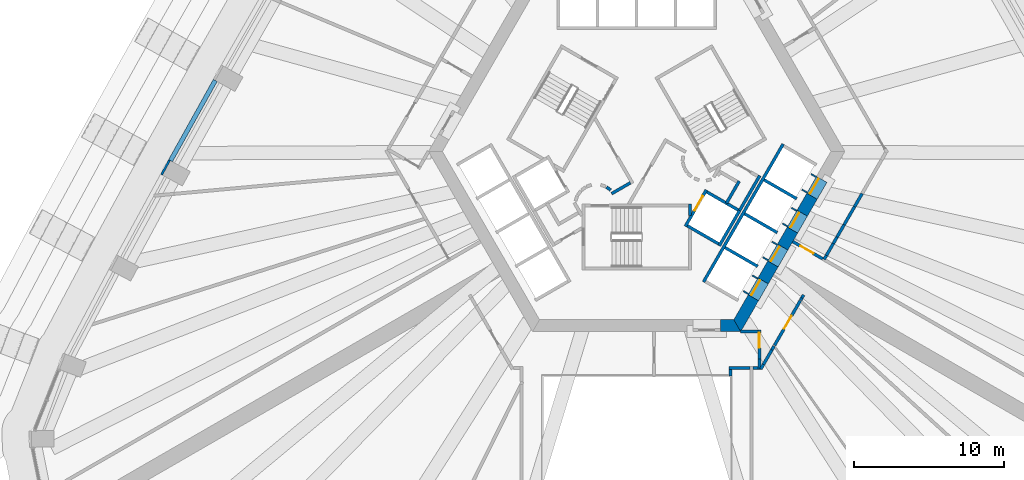
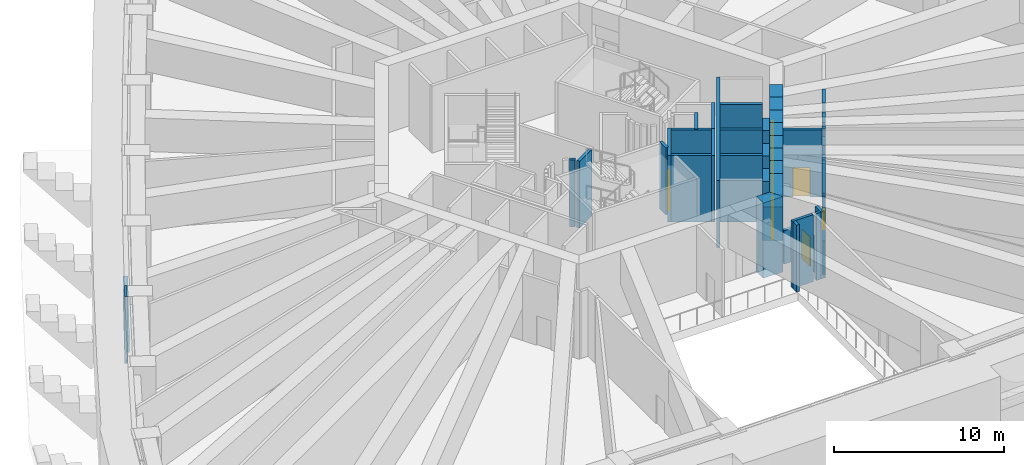
# One storey, part 10 of 22: 47 walls, 8 doors, 8 openings.
"""IFC4 building model written with IfcOpenShell, lengths in metres."""

from ifc_helpers import new_model, si_unit, direction, frame, frame_2d, origin, place, context, subcontext, project, spatial, polyline, rectangle, outline, extrude, material, layer, layer_set, type_object, element, fill, save


model = new_model("IFC4")

# Units and contexts
model_context = context("Model", 3, precision=1e-05, world=origin(), true_north=direction((0.0, 1.0)))
body_context = subcontext(model_context, "Body", "Model", "MODEL_VIEW")
ifc_project = project(units=[si_unit("LENGTHUNIT", "METRE"), si_unit("AREAUNIT", "SQUARE_METRE"), si_unit("VOLUMEUNIT", "CUBIC_METRE"), si_unit("PLANEANGLEUNIT", "RADIAN"), si_unit("MASSUNIT", "GRAM", prefix="KILO")], contexts=[model_context])

# Site, building, storey
site_placement = place(None, origin())
site = spatial("IfcSite", under=ifc_project, at=site_placement, CompositionType="ELEMENT")
building_placement = place(site_placement, origin())
building = spatial("IfcBuilding", under=site, at=building_placement, Name="Entoto Arch Interchange Tower", CompositionType="ELEMENT")
storey_placement = place(building_placement, frame((0.0, 0.0, 132.800048828125)))
storey = spatial("IfcBuildingStorey", under=building, at=storey_placement, Name="L29", CompositionType="ELEMENT", Elevation=132.800048828125)

# Walls
ifc_material_1 = material(Name="Concrete C60/75", Category="concrete")
ifc_layer_1 = layer(ifc_material_1, 0.800048828125)
ifc_layer_set_1 = layer_set([ifc_layer_1], Name="Concrete C60/75")
wall_type_1 = type_object("IfcWallType", Name="Core wall 800 C60/75", PredefinedType="SHEAR", material=ifc_layer_set_1)
wall_1_placement = place(storey_placement, frame((0.0, 0.0, -0.60009765625)))
element("IfcWall", 1, at=wall_1_placement, inside=storey, type_object=wall_type_1, Name="Core wall S L29", PredefinedType="SHEAR", context=body_context, shape_type="SweptSolid", body=[
    extrude(outline(polyline([(5.580078125, -8.699951171875), (5.580078125, -9.5), (6.927978515625, -9.5), (6.466064453125, -8.699951171875), (5.580078125, -8.699951171875)])), origin(), (0.0, 0.0, 1.0), 5.400146484375),
])
wall_2_placement = place(storey_placement, frame((0.0, 0.0, -0.60009765625)))
element("IfcWall", 2, at=wall_2_placement, inside=storey, type_object=wall_type_1, Name="Core wall SE L29", PredefinedType="SHEAR", context=body_context, shape_type="SweptSolid", body=[
    extrude(outline(polyline([(8.116943359375, -7.43994140625), (7.424072265625, -7.0400390625), (6.466064453125, -8.699951171875), (6.927978515625, -9.5), (8.116943359375, -7.43994140625)])), origin(), (0.0, 0.0, 1.0), 5.400146484375),
])
wall_3_placement = place(storey_placement, frame((0.0, 0.0, -0.60009765625)))
element("IfcWall", 3, at=wall_3_placement, inside=storey, type_object=wall_type_1, Name="Core wall SE L29", PredefinedType="SHEAR", context=body_context, shape_type="SweptSolid", body=[
    extrude(outline(polyline([(9.4169921875, -5.18896484375), (8.72412109375, -4.7890625), (8.074951171875, -5.9140625), (8.76708984375, -6.31396484375), (9.4169921875, -5.18896484375)])), origin(), (0.0, 0.0, 1.0), 5.400146484375),
])
wall_4_placement = place(storey_placement, frame((0.0, 0.0, -0.60009765625)))
element("IfcWall", 4, at=wall_4_placement, inside=storey, type_object=wall_type_1, Name="Core wall SE L29", PredefinedType="SHEAR", context=body_context, shape_type="SweptSolid", body=[
    extrude(outline(polyline([(10.717041015625, -2.93701171875), (10.02490234375, -2.537109375), (9.3740234375, -3.6630859375), (10.06689453125, -4.06298828125), (10.717041015625, -2.93701171875)])), origin(), (0.0, 0.0, 1.0), 5.400146484375),
])
wall_5_placement = place(storey_placement, frame((0.0, 0.0, -0.60009765625)))
element("IfcWall", 5, at=wall_5_placement, inside=storey, type_object=wall_type_1, Name="Core wall SE L29", PredefinedType="SHEAR", context=body_context, shape_type="SweptSolid", body=[
    extrude(outline(polyline([(12.01708984375, -0.68603515625), (11.323974609375, -0.285888671875), (10.675048828125, -1.410888671875), (11.366943359375, -1.81103515625), (12.01708984375, -0.68603515625)])), origin(), (0.0, 0.0, 1.0), 5.400146484375),
])
wall_6_placement = place(storey_placement, frame((0.0, 0.0, 3.599853515625)))
element("IfcWall", 6, at=wall_6_placement, inside=storey, type_object=wall_type_1, Name="Core wall lintel SE L29", PredefinedType="SHEAR", context=body_context, shape_type="SweptSolid", body=[
    extrude(outline(polyline([(8.76708984375, -6.31396484375), (8.074951171875, -5.9140625), (7.424072265625, -7.0400390625), (8.116943359375, -7.43994140625), (8.76708984375, -6.31396484375)])), origin(), (0.0, 0.0, 1.0), 1.2001953125),
])
wall_7_placement = place(storey_placement, frame((0.0, 0.0, 3.599853515625)))
element("IfcWall", 7, at=wall_7_placement, inside=storey, type_object=wall_type_1, Name="Core wall lintel SE L29", PredefinedType="SHEAR", context=body_context, shape_type="SweptSolid", body=[
    extrude(outline(polyline([(10.06689453125, -4.06298828125), (9.3740234375, -3.6630859375), (8.72412109375, -4.7890625), (9.4169921875, -5.18896484375), (10.06689453125, -4.06298828125)])), origin(), (0.0, 0.0, 1.0), 1.2001953125),
])
wall_8_placement = place(storey_placement, frame((0.0, 0.0, 3.599853515625)))
element("IfcWall", 8, at=wall_8_placement, inside=storey, type_object=wall_type_1, Name="Core wall lintel SE L29", PredefinedType="SHEAR", context=body_context, shape_type="SweptSolid", body=[
    extrude(outline(polyline([(11.366943359375, -1.81103515625), (10.675048828125, -1.410888671875), (10.02490234375, -2.537109375), (10.717041015625, -2.93701171875), (11.366943359375, -1.81103515625)])), origin(), (0.0, 0.0, 1.0), 1.2001953125),
])
wall_9_placement = place(storey_placement, frame((0.0, 0.0, 3.599853515625)))
element("IfcWall", 9, at=wall_9_placement, inside=storey, type_object=wall_type_1, Name="Core wall lintel SE L29", PredefinedType="SHEAR", context=body_context, shape_type="SweptSolid", body=[
    extrude(outline(polyline([(12.6669921875, 0.43994140625), (11.97412109375, 0.840087890625), (11.323974609375, -0.285888671875), (12.01708984375, -0.68603515625), (12.6669921875, 0.43994140625)])), origin(), (0.0, 0.0, 1.0), 1.2001953125),
])

# Wall, opening, door
ifc_material_2 = material(Name="Concrete C40/50", Category="concrete")
ifc_layer_2 = layer(ifc_material_2, 1.199951171875)
ifc_layer_set_2 = layer_set([ifc_layer_2], Name="Concrete C40/50")
wall_type_2 = type_object("IfcWallType", Name="LIFT LANDING INFILL WALL", PredefinedType="STANDARD", material=ifc_layer_set_2)
wall_10_placement = place(storey_placement, frame((7.597900390625, -7.139892578125, 0.0), z_axis=(0.0, 0.0, 1.0), x_axis=(0.500362116554, 0.865816234728, 0.0)))
wall_10 = element("IfcWall", 10, at=wall_10_placement, inside=storey, type_object=wall_type_2, Name="Lift landing infill wall LR5 L29", PredefinedType="STANDARD", context=body_context, shape_type="SweptSolid", body=[
    extrude(rectangle(XDim=1.29931640625, YDim=1.199951171875, at=frame_2d((0.649658203125, 0.0))), origin(), (0.0, 0.0, 1.0), 2.39990234375),
])
opening_1_placement = place(wall_10_placement, frame((0.10009765625, 0.0, 0.0)))
opening_1 = element("IfcOpeningElement", 11, at=opening_1_placement, cuts=wall_10, Name="Opening LD-LR5-L29", PredefinedType="OPENING", context=body_context, shape_type="SweptSolid", body=[
    extrude(rectangle(XDim=1.10009765625, YDim=2.300048828125, at=frame_2d((0.550048828125, 1.14990234375))), frame((0.0, 0.60986328125, 0.0), z_axis=(0.0, -1.0, 0.0), x_axis=(1.0, 0.0, 0.0)), (0.0, 0.0, 1.0), 1.219970703125),
])
ifc_material_3 = material(Name="Stainless steel 1.4301 panels", Category="steel")
door_type_1 = type_object("IfcDoorType", Name="LIFT LANDING DOOR LD2 1100x2300", OperationType="SLIDING_TO_LEFT", PredefinedType="DOOR", material=ifc_material_3)
door_1_placement = place(opening_1_placement, origin())
door_1 = element("IfcDoor", 12, at=door_1_placement, inside=storey, type_object=door_type_1, Name="Lift landing door LR5 L29", OperationType="SLIDING_TO_LEFT", OverallHeight=2.300048828125, OverallWidth=1.10009765625, PredefinedType="DOOR", context=body_context, shape_type="SweptSolid", body=[
    extrude(rectangle(XDim=1.10009765625, YDim=2.300048828125, at=frame_2d((0.550048828125, 1.14990234375))), frame((0.0, 0.02490234375, 0.0), z_axis=(0.0, -1.0, 0.0), x_axis=(1.0, 0.0, 0.0)), (0.0, 0.0, 1.0), 0.050048828125),
])
fill(opening_1, door_1)

wall_11_placement = place(storey_placement, frame((8.89794921875, -4.888916015625, 0.0), z_axis=(0.0, 0.0, 1.0), x_axis=(0.500036693733, 0.866004217611, 0.0)))
wall_11 = element("IfcWall", 13, at=wall_11_placement, inside=storey, type_object=wall_type_2, Name="Lift landing infill wall LR6 L29", PredefinedType="STANDARD", context=body_context, shape_type="SweptSolid", body=[
    extrude(rectangle(XDim=1.30029296875, YDim=1.199951171875, at=frame_2d((0.650146484375, 0.0))), origin(), (0.0, 0.0, 1.0), 2.39990234375),
])
opening_2_placement = place(wall_11_placement, frame((0.10009765625, 0.0, 0.0)))
opening_2 = element("IfcOpeningElement", 14, at=opening_2_placement, cuts=wall_11, Name="Opening LD-LR6-L29", PredefinedType="OPENING", context=body_context, shape_type="SweptSolid", body=[
    extrude(rectangle(XDim=1.10009765625, YDim=2.300048828125, at=frame_2d((0.550048828125, 1.14990234375))), frame((0.0, 0.60986328125, 0.0), z_axis=(0.0, -1.0, 0.0), x_axis=(1.0, 0.0, 0.0)), (0.0, 0.0, 1.0), 1.219970703125),
])
door_2_placement = place(opening_2_placement, origin())
door_2 = element("IfcDoor", 15, at=door_2_placement, inside=storey, type_object=door_type_1, Name="Lift landing door LR6 L29", OperationType="SLIDING_TO_LEFT", OverallHeight=2.300048828125, OverallWidth=1.10009765625, PredefinedType="DOOR", context=body_context, shape_type="SweptSolid", body=[
    extrude(rectangle(XDim=1.10009765625, YDim=2.300048828125, at=frame_2d((0.550048828125, 1.14990234375))), frame((0.0, 0.02490234375, 0.0), z_axis=(0.0, -1.0, 0.0), x_axis=(1.0, 0.0, 0.0)), (0.0, 0.0, 1.0), 0.050048828125),
])
fill(opening_2, door_2)

wall_12_placement = place(storey_placement, frame((10.197998046875, -2.636962890625, 0.0), z_axis=(0.0, 0.0, 1.0), x_axis=(0.49989585183, 0.866085525409, 0.0)))
wall_12 = element("IfcWall", 16, at=wall_12_placement, inside=storey, type_object=wall_type_2, Name="Lift landing infill wall LR7 L29", PredefinedType="STANDARD", context=body_context, shape_type="SweptSolid", body=[
    extrude(rectangle(XDim=1.300048828125, YDim=1.199951171875, at=frame_2d((0.64990234375, 0.0))), origin(), (0.0, 0.0, 1.0), 2.39990234375),
])
opening_3_placement = place(wall_12_placement, frame((0.10009765625, 0.0, 0.0)))
opening_3 = element("IfcOpeningElement", 17, at=opening_3_placement, cuts=wall_12, Name="Opening LD-LR7-L29", PredefinedType="OPENING", context=body_context, shape_type="SweptSolid", body=[
    extrude(rectangle(XDim=1.10009765625, YDim=2.300048828125, at=frame_2d((0.550048828125, 1.14990234375))), frame((0.0, 0.60986328125, 0.0), z_axis=(0.0, -1.0, 0.0), x_axis=(1.0, 0.0, 0.0)), (0.0, 0.0, 1.0), 1.219970703125),
])
door_3_placement = place(opening_3_placement, origin())
door_3 = element("IfcDoor", 18, at=door_3_placement, inside=storey, type_object=door_type_1, Name="Lift landing door LR7 L29", OperationType="SLIDING_TO_LEFT", OverallHeight=2.300048828125, OverallWidth=1.10009765625, PredefinedType="DOOR", context=body_context, shape_type="SweptSolid", body=[
    extrude(rectangle(XDim=1.10009765625, YDim=2.300048828125, at=frame_2d((0.550048828125, 1.14990234375))), frame((0.0, 0.02490234375, 0.0), z_axis=(0.0, -1.0, 0.0), x_axis=(1.0, 0.0, 0.0)), (0.0, 0.0, 1.0), 0.050048828125),
])
fill(opening_3, door_3)

wall_13_placement = place(storey_placement, frame((11.498046875, -0.385009765625, 0.0), z_axis=(0.0, 0.0, 1.0), x_axis=(0.500221244143, 0.865897630733, 0.0)))
wall_13 = element("IfcWall", 19, at=wall_13_placement, inside=storey, type_object=wall_type_2, Name="Lift landing infill wall LR8 L29", PredefinedType="STANDARD", context=body_context, shape_type="SweptSolid", body=[
    extrude(rectangle(XDim=1.29931640625, YDim=1.199951171875, at=frame_2d((0.649658203125, 0.0))), origin(), (0.0, 0.0, 1.0), 2.39990234375),
])
opening_4_placement = place(wall_13_placement, frame((0.10009765625, 0.0, 0.0)))
opening_4 = element("IfcOpeningElement", 20, at=opening_4_placement, cuts=wall_13, Name="Opening LD-LR8-L29", PredefinedType="OPENING", context=body_context, shape_type="SweptSolid", body=[
    extrude(rectangle(XDim=1.10009765625, YDim=2.300048828125, at=frame_2d((0.550048828125, 1.14990234375))), frame((0.0, 0.60986328125, 0.0), z_axis=(0.0, -1.0, 0.0), x_axis=(1.0, 0.0, 0.0)), (0.0, 0.0, 1.0), 1.219970703125),
])
door_4_placement = place(opening_4_placement, origin())
door_4 = element("IfcDoor", 21, at=door_4_placement, inside=storey, type_object=door_type_1, Name="Lift landing door LR8 L29", OperationType="SLIDING_TO_LEFT", OverallHeight=2.300048828125, OverallWidth=1.10009765625, PredefinedType="DOOR", context=body_context, shape_type="SweptSolid", body=[
    extrude(rectangle(XDim=1.10009765625, YDim=2.300048828125, at=frame_2d((0.550048828125, 1.14990234375))), frame((0.0, 0.02490234375, 0.0), z_axis=(0.0, -1.0, 0.0), x_axis=(1.0, 0.0, 0.0)), (0.0, 0.0, 1.0), 0.050048828125),
])
fill(opening_4, door_4)

ifc_layer_3 = layer(ifc_material_2, 0.199951171875)
ifc_layer_set_3 = layer_set([ifc_layer_3], Name="Concrete C40/50")
wall_type_3 = type_object("IfcWallType", Name="LIFT SHAFT WALL 200", PredefinedType="STANDARD", material=ifc_layer_set_3)
wall_14_placement = place(storey_placement, frame((3.239990234375, -2.488037109375, 0.0), z_axis=(0.0, 0.0, 1.0), x_axis=(0.49994636267, 0.866056369097, 0.0)))
wall_14 = element("IfcWall", 22, at=wall_14_placement, inside=storey, type_object=wall_type_3, Name="Shaft wall SE1 front", PredefinedType="STANDARD", context=body_context, shape_type="SweptSolid", body=[
    extrude(rectangle(XDim=2.800048828125, YDim=0.199951171875, at=frame_2d((1.39990234375, 0.0))), origin(), (0.0, 0.0, 1.0), 4.800048828125),
])
opening_5_placement = place(wall_14_placement, frame((1.22509765625, 0.0, 0.0)))
opening_5 = element("IfcOpeningElement", 23, at=opening_5_placement, cuts=wall_14, Name="Opening LD-FF1-L29", PredefinedType="OPENING", context=body_context, shape_type="SweptSolid", body=[
    extrude(rectangle(XDim=1.10009765625, YDim=2.10009765625, at=frame_2d((0.550048828125, 1.050048828125))), frame((0.0, 0.10986328125, 0.0), z_axis=(0.0, -1.0, 0.0), x_axis=(1.0, 0.0, 0.0)), (0.0, 0.0, 1.0), 0.219970703125),
])
door_type_2 = type_object("IfcDoorType", Name="LIFT LANDING DOOR LD1 1100x2100", OperationType="SLIDING_TO_LEFT", PredefinedType="DOOR", material=ifc_material_3)
door_5_placement = place(opening_5_placement, origin())
door_5 = element("IfcDoor", 24, at=door_5_placement, inside=storey, type_object=door_type_2, Name="Lift landing door FF1 L29", OperationType="SLIDING_TO_LEFT", OverallHeight=2.10009765625, OverallWidth=1.10009765625, PredefinedType="DOOR", context=body_context, shape_type="SweptSolid", body=[
    extrude(rectangle(XDim=1.10009765625, YDim=2.10009765625, at=frame_2d((0.550048828125, 1.050048828125))), frame((0.0, 0.02490234375, 0.0), z_axis=(0.0, -1.0, 0.0), x_axis=(1.0, 0.0, 0.0)), (0.0, 0.0, 1.0), 0.050048828125),
])
fill(opening_5, door_5)

# Walls
wall_15_placement = place(storey_placement, frame((5.491943359375, -3.7880859375, 0.0), z_axis=(0.0, 0.0, 1.0), x_axis=(0.500011755427, 0.866018616679, 0.0)))
element("IfcWall", 25, at=wall_15_placement, inside=storey, type_object=wall_type_3, Name="Shaft wall SE1 back", PredefinedType="STANDARD", context=body_context, shape_type="SweptSolid", body=[
    extrude(rectangle(XDim=2.80029296875, YDim=0.199951171875, at=frame_2d((1.400146484375, 0.0))), origin(), (0.0, 0.0, 1.0), 4.800048828125),
])
wall_16_placement = place(storey_placement, frame((3.376953125, -2.451904296875, 0.0), z_axis=(0.0, 0.0, 1.0), x_axis=(0.865955154139, -0.50012165622, 0.0)))
element("IfcWall", 26, at=wall_16_placement, inside=storey, type_object=wall_type_3, Name="Shaft wall SE1 cross 1", PredefinedType="STANDARD", context=body_context, shape_type="SweptSolid", body=[
    extrude(rectangle(XDim=2.39990234375, YDim=0.199951171875, at=frame_2d((1.199951171875, 0.0))), origin(), (0.0, 0.0, 1.0), 4.800048828125),
])
wall_17_placement = place(storey_placement, frame((4.677001953125, -0.199951171875, 0.0), z_axis=(0.0, 0.0, 1.0), x_axis=(0.865973769406, -0.500089422704, 0.0)))
element("IfcWall", 27, at=wall_17_placement, inside=storey, type_object=wall_type_3, Name="Shaft wall SE1 cross 2", PredefinedType="STANDARD", context=body_context, shape_type="SweptSolid", body=[
    extrude(rectangle(XDim=2.3994140625, YDim=0.199951171875, at=frame_2d((1.19970703125, 0.0))), origin(), (0.0, 0.0, 1.0), 4.800048828125),
])
wall_18_placement = place(storey_placement, frame((4.450927734375, -6.18994140625, 0.0), z_axis=(0.0, 0.0, 1.0), x_axis=(0.50000090737, 0.866024879913, 0.0)))
element("IfcWall", 28, at=wall_18_placement, inside=storey, type_object=wall_type_3, Name="Shaft wall SE3 front", PredefinedType="STANDARD", context=body_context, shape_type="SweptSolid", body=[
    extrude(rectangle(XDim=10.60009765625, YDim=0.199951171875, at=frame_2d((5.300048828125, 0.0))), origin(), (0.0, 0.0, 1.0), 4.800048828125),
])
for number, where, z_axis, x_axis, name in (
    (29, (5.887939453125, -3.902099609375, 0.0), (0.0, 0.0, 1.0), (0.866022959057, -0.500004234368, 0.0), "Shaft wall SE3 cross 2"),
    (30, (7.18798828125, -1.64990234375, 0.0), (0.0, 0.0, 1.0), (0.866022959057, -0.500004234368, 0.0), "Shaft wall SE3 cross 3"),
    (31, (8.488037109375, 0.60205078125, 0.0), (0.0, 0.0, 1.0), (0.866022959057, -0.500004234368, 0.0), "Shaft wall SE3 cross 4"),
):
    element("IfcWall", number, at=place(storey_placement, frame(where, z_axis=z_axis, x_axis=x_axis)), inside=storey, type_object=wall_type_3, Name=name, PredefinedType="STANDARD", context=body_context, shape_type="SweptSolid", body=[
        extrude(rectangle(XDim=2.5, YDim=0.199951171875, at=frame_2d((1.25, 0.0))), origin(), (0.0, 0.0, 1.0), 4.800048828125),
    ])
ifc_material_4 = material(Name="Gypsum board partition on steel studs", Category="steel")
ifc_layer_4 = layer(ifc_material_4, 0.199951171875)
ifc_layer_set_4 = layer_set([ifc_layer_4], Name="Gypsum board partition on steel studs")
wall_type_4 = type_object("IfcWallType", Name="PARTITION 200", PredefinedType="PARTITIONING", material=ifc_layer_set_4)
wall_19_placement = place(storey_placement, frame((6.825927734375, 0.52197265625, 0.0), z_axis=(0.0, 0.0, 1.0), x_axis=(-0.500016722714, -0.866015748706, 0.0)))
element("IfcWall", 32, at=wall_19_placement, inside=storey, type_object=wall_type_4, Name="wall:L29:p003", PredefinedType="PARTITIONING", context=body_context, shape_type="SweptSolid", body=[
    extrude(rectangle(XDim=1.69970703125, YDim=0.199951171875, at=frame_2d((0.849853515625, 0.0))), origin(), (0.0, 0.0, 1.0), 4.800048828125),
])
wall_20_placement = place(storey_placement, frame((8.19189453125, 0.887939453125, 0.0), z_axis=(0.0, 0.0, 1.0), x_axis=(-0.499940625693, -0.866059680843, 0.0)))
element("IfcWall", 33, at=wall_20_placement, inside=storey, type_object=wall_type_4, Name="wall:L29:p004", PredefinedType="PARTITIONING", context=body_context, shape_type="SweptSolid", body=[
    extrude(rectangle(XDim=2.679931640625, YDim=0.199951171875, at=frame_2d((1.33984375, 0.0))), origin(), (0.0, 0.0, 1.0), 4.800048828125),
])
wall_21_placement = place(storey_placement, frame((-0.412109375, 0.4140625, 0.0), z_axis=(0.0, 0.0, 1.0), x_axis=(-0.866017369001, -0.500013916395, 0.0)))
element("IfcWall", 34, at=wall_21_placement, inside=storey, type_object=wall_type_4, Name="wall:L29:p020", PredefinedType="PARTITIONING", context=body_context, shape_type="SweptSolid", body=[
    extrude(rectangle(XDim=1.4501953125, YDim=0.199951171875, at=frame_2d((0.72509765625, 0.0))), origin(), (0.0, 0.0, 1.0), 4.800048828125),
])
wall_22_placement = place(storey_placement, frame((-1.73095703125, -0.076904296875, 0.0), z_axis=(0.0, 0.0, 1.0), x_axis=(-0.804311165252, 0.594208338422, 0.0)))
element("IfcWall", 35, at=wall_22_placement, inside=storey, type_object=wall_type_4, Name="wall:L29:p021", PredefinedType="PARTITIONING", context=body_context, shape_type="SweptSolid", body=[
    extrude(rectangle(XDim=0.338134765625, YDim=0.199951171875, at=frame_2d((0.1689453125, 0.0))), origin(), (0.0, 0.0, 1.0), 4.800048828125),
])
wall_23_placement = place(storey_placement, frame((7.550048828125, -11.89990234375, 0.0), z_axis=(0.0, 0.0, 1.0), x_axis=(-1.0, 0.0, 0.0)))
element("IfcWall", 36, at=wall_23_placement, inside=storey, type_object=wall_type_4, Name="wall:L29:p029", PredefinedType="PARTITIONING", context=body_context, shape_type="SweptSolid", body=[
    extrude(rectangle(XDim=1.399169921875, YDim=0.199951171875, at=frame_2d((0.69970703125, 0.0))), origin(), (0.0, 0.0, 1.0), 4.800048828125),
])
wall_24_placement = place(storey_placement, frame((6.25, -12.0, 0.0), z_axis=(0.0, 0.0, 1.0), x_axis=(0.0, -1.0, 0.0)))
element("IfcWall", 37, at=wall_24_placement, inside=storey, type_object=wall_type_4, Name="wall:L29:p030", PredefinedType="PARTITIONING", context=body_context, shape_type="SweptSolid", body=[
    extrude(rectangle(XDim=0.449951171875, YDim=0.199951171875, at=frame_2d((0.22509765625, 0.0))), origin(), (0.0, 0.0, 1.0), 4.800048828125),
])
wall_25_placement = place(storey_placement, frame((6.927978515625, -9.5, 0.0), z_axis=(0.0, 0.0, 1.0), x_axis=(1.0, 0.0, 0.0)))
element("IfcWall", 38, at=wall_25_placement, inside=storey, type_object=wall_type_4, Name="wall:L29:p031", PredefinedType="PARTITIONING", context=body_context, shape_type="SweptSolid", body=[
    extrude(rectangle(XDim=1.136962890625, YDim=0.199951171875, at=frame_2d((0.568359375, 0.0))), origin(), (0.0, 0.0, 1.0), 2.39990234375),
])

# Wall, opening, door
wall_26_placement = place(storey_placement, frame((8.1650390625, -9.39990234375, 0.0), z_axis=(0.0, 0.0, 1.0), x_axis=(0.0, -1.0, 0.0)))
wall_26 = element("IfcWall", 39, at=wall_26_placement, inside=storey, type_object=wall_type_4, Name="wall:L29:p032", PredefinedType="PARTITIONING", context=body_context, shape_type="SweptSolid", body=[
    extrude(rectangle(XDim=1.9140625, YDim=0.199951171875, at=frame_2d((0.95703125, 0.0))), origin(), (0.0, 0.0, 1.0), 2.39990234375),
])
opening_6_placement = place(wall_26_placement, frame((0.18408203125, 0.0, 0.0)))
opening_6 = element("IfcOpeningElement", 40, at=opening_6_placement, cuts=wall_26, Name="Opening L29-D02", PredefinedType="OPENING", context=body_context, shape_type="SweptSolid", body=[
    extrude(rectangle(XDim=1.0, YDim=2.10009765625, at=frame_2d((0.5, 1.050048828125))), frame((0.0, 0.10986328125, 0.0), z_axis=(0.0, -1.0, 0.0), x_axis=(1.0, 0.0, 0.0)), (0.0, 0.0, 1.0), 0.219970703125),
])
ifc_material_5 = material(Name="Fire-rated Steel S235 door and frame", Category="steel")
door_type_3 = type_object("IfcDoorType", Name="DOOR FD-10 1000x2100", OperationType="SINGLE_SWING_LEFT", PredefinedType="DOOR", material=ifc_material_5)
door_6_placement = place(opening_6_placement, origin())
door_6 = element("IfcDoor", 41, at=door_6_placement, inside=storey, type_object=door_type_3, Name="door:L29:02", OperationType="SINGLE_SWING_RIGHT", OverallHeight=2.10009765625, OverallWidth=1.0, PredefinedType="DOOR", context=body_context, shape_type="SweptSolid", body=[
    extrude(rectangle(XDim=1.0, YDim=2.10009765625, at=frame_2d((0.5, 1.050048828125))), frame((0.0, 0.02490234375, 0.0), z_axis=(0.0, -1.0, 0.0), x_axis=(1.0, 0.0, 0.0)), (0.0, 0.0, 1.0), 0.050048828125),
])
fill(opening_6, door_6)

# Walls
wall_27_placement = place(storey_placement, frame((8.06494140625, -11.89990234375, 0.0), z_axis=(0.0, 0.0, 1.0), x_axis=(-1.0, 0.0, 0.0)))
element("IfcWall", 42, at=wall_27_placement, inside=storey, type_object=wall_type_4, Name="wall:L29:p033", PredefinedType="PARTITIONING", context=body_context, shape_type="SweptSolid", body=[
    extrude(rectangle(XDim=0.31494140625, YDim=0.199951171875, at=frame_2d((0.157470703125, 0.0))), origin(), (0.0, 0.0, 1.0), 4.800048828125),
])
wall_28_placement = place(storey_placement, frame((9.14501953125, -10.4599609375, 0.0), z_axis=(0.0, 0.0, 1.0), x_axis=(-0.500701704226, -0.865619895442, 0.0)))
element("IfcWall", 43, at=wall_28_placement, inside=storey, type_object=wall_type_4, Name="wall:L29:p039", PredefinedType="PARTITIONING", context=body_context, shape_type="SweptSolid", body=[
    extrude(rectangle(XDim=0.28759765625, YDim=0.199951171875, at=frame_2d((0.143798828125, 0.0))), origin(), (0.0, 0.0, 1.0), 4.800048828125),
])

# Wall, opening, door
wall_29_placement = place(storey_placement, frame((10.889892578125, -7.43701171875, 0.0), z_axis=(0.0, 0.0, 1.0), x_axis=(-0.499905227862, -0.86608011359, 0.0)))
wall_29 = element("IfcWall", 44, at=wall_29_placement, inside=storey, type_object=wall_type_4, Name="wall:L29:p040", PredefinedType="PARTITIONING", context=body_context, shape_type="SweptSolid", body=[
    extrude(rectangle(XDim=3.430419921875, YDim=0.199951171875, at=frame_2d((1.71533203125, 0.0))), origin(), (0.0, 0.0, 1.0), 4.800048828125),
])
opening_7_placement = place(wall_29_placement, frame((1.152099609375, 0.0, 0.0)))
opening_7 = element("IfcOpeningElement", 45, at=opening_7_placement, cuts=wall_29, Name="Opening L29-D05", PredefinedType="OPENING", context=body_context, shape_type="SweptSolid", body=[
    extrude(rectangle(XDim=1.0, YDim=2.10009765625, at=frame_2d((0.5, 1.050048828125))), frame((0.0, 0.10986328125, 0.0), z_axis=(0.0, -1.0, 0.0), x_axis=(1.0, 0.0, 0.0)), (0.0, 0.0, 1.0), 0.219970703125),
])
ifc_material_6 = material(Name="Timber door leaf in Steel S235 frame", Category="steel")
door_type_4 = type_object("IfcDoorType", Name="DOOR DS-10 1000x2100", OperationType="SINGLE_SWING_LEFT", PredefinedType="DOOR", material=ifc_material_6)
door_7_placement = place(opening_7_placement, origin())
door_7 = element("IfcDoor", 46, at=door_7_placement, inside=storey, type_object=door_type_4, Name="door:L29:05", OperationType="SINGLE_SWING_LEFT", OverallHeight=2.10009765625, OverallWidth=1.0, PredefinedType="DOOR", context=body_context, shape_type="SweptSolid", body=[
    extrude(rectangle(XDim=1.0, YDim=2.10009765625, at=frame_2d((0.5, 1.050048828125))), frame((0.0, 0.02490234375, 0.0), z_axis=(0.0, -1.0, 0.0), x_axis=(1.0, 0.0, 0.0)), (0.0, 0.0, 1.0), 0.050048828125),
])
fill(opening_7, door_7)

# Wall
wall_30_placement = place(storey_placement, frame((11.113037109375, -7.051025390625, 0.0), z_axis=(0.0, 0.0, 1.0), x_axis=(-0.499504513693, -0.866311284008, 0.0)))
element("IfcWall", 47, at=wall_30_placement, inside=storey, type_object=wall_type_4, Name="wall:L29:p041", PredefinedType="PARTITIONING", context=body_context, shape_type="SweptSolid", body=[
    extrude(rectangle(XDim=0.226318359375, YDim=0.199951171875, at=frame_2d((0.11328125, 0.0))), origin(), (0.0, 0.0, 1.0), 2.099853515625),
])

# Wall, opening, door
wall_31_placement = place(storey_placement, frame((12.384033203125, -4.64990234375, 0.0), z_axis=(0.0, 0.0, 1.0), x_axis=(-0.866053019151, 0.499952165731, 0.0)))
wall_31 = element("IfcWall", 48, at=wall_31_placement, inside=storey, type_object=wall_type_4, Name="wall:L29:p046", PredefinedType="PARTITIONING", context=body_context, shape_type="SweptSolid", body=[
    extrude(rectangle(XDim=2.300048828125, YDim=0.199951171875, at=frame_2d((1.14990234375, 0.0))), origin(), (0.0, 0.0, 1.0), 4.800048828125),
])
opening_8_placement = place(wall_31_placement, frame((0.720947265625, 0.0, 0.0)))
opening_8 = element("IfcOpeningElement", 49, at=opening_8_placement, cuts=wall_31, Name="Opening L29-D19", PredefinedType="OPENING", context=body_context, shape_type="SweptSolid", body=[
    extrude(rectangle(XDim=1.0, YDim=2.10009765625, at=frame_2d((0.5, 1.050048828125))), frame((0.0, 0.10986328125, 0.0), z_axis=(0.0, -1.0, 0.0), x_axis=(1.0, 0.0, 0.0)), (0.0, 0.0, 1.0), 0.219970703125),
])
door_8_placement = place(opening_8_placement, origin())
door_8 = element("IfcDoor", 50, at=door_8_placement, inside=storey, type_object=door_type_4, Name="door:L29:19", OperationType="SINGLE_SWING_LEFT", OverallHeight=2.10009765625, OverallWidth=1.0, PredefinedType="DOOR", context=body_context, shape_type="SweptSolid", body=[
    extrude(rectangle(XDim=1.0, YDim=2.10009765625, at=frame_2d((0.5, 1.050048828125))), frame((0.0, 0.02490234375, 0.0), z_axis=(0.0, -1.0, 0.0), x_axis=(1.0, 0.0, 0.0)), (0.0, 0.0, 1.0), 0.050048828125),
])
fill(opening_8, door_8)

# Walls
wall_32_placement = place(storey_placement, frame((8.1650390625, -11.31396484375, 0.0), z_axis=(0.0, 0.0, 1.0), x_axis=(0.0, -1.0, 0.0)))
element("IfcWall", 51, at=wall_32_placement, inside=storey, type_object=wall_type_4, Name="wall:L29:p032", PredefinedType="PARTITIONING", context=body_context, shape_type="SweptSolid", body=[
    extrude(rectangle(XDim=0.68603515625, YDim=0.199951171875, at=frame_2d((0.343017578125, 0.0))), origin(), (0.0, 0.0, 1.0), 4.800048828125),
])
wall_33_placement = place(storey_placement, frame((9.0009765625, -10.708984375, 0.0), z_axis=(0.0, 0.0, 1.0), x_axis=(-0.499753940741, -0.866167419564, 0.0)))
element("IfcWall", 52, at=wall_33_placement, inside=storey, type_object=wall_type_4, Name="wall:L29:p039", PredefinedType="PARTITIONING", context=body_context, shape_type="SweptSolid", body=[
    extrude(rectangle(XDim=1.11865234375, YDim=0.199951171875, at=frame_2d((0.559326171875, 0.0))), origin(), (0.0, 0.0, 1.0), 2.39990234375),
])
wall_34_placement = place(storey_placement, frame((8.44189453125, -11.677978515625, 0.0), z_axis=(0.0, 0.0, 1.0), x_axis=(-0.499011179969, -0.866595547107, 0.0)))
element("IfcWall", 53, at=wall_34_placement, inside=storey, type_object=wall_type_4, Name="wall:L29:p039", PredefinedType="PARTITIONING", context=body_context, shape_type="SweptSolid", body=[
    extrude(rectangle(XDim=0.356689453125, YDim=0.199951171875, at=frame_2d((0.17822265625, 0.0))), origin(), (0.0, 0.0, 1.0), 4.800048828125),
])
wall_35_placement = place(storey_placement, frame((11.0, -7.2470703125, 0.0), z_axis=(0.0, 0.0, 1.0), x_axis=(-0.498843983803, -0.866691802098, 0.0)))
element("IfcWall", 54, at=wall_35_placement, inside=storey, type_object=wall_type_4, Name="wall:L29:p041", PredefinedType="PARTITIONING", context=body_context, shape_type="SweptSolid", body=[
    extrude(rectangle(XDim=0.1845703125, YDim=0.199951171875, at=frame_2d((0.09228515625, 0.0))), origin(), (0.0, 0.0, 1.0), 4.800048828125),
])
wall_36_placement = place(storey_placement, frame((15.008056640625, -0.304931640625, 0.0), z_axis=(0.0, 0.0, 1.0), x_axis=(-0.500071819257, -0.865983934946, 0.0)))
element("IfcWall", 55, at=wall_36_placement, inside=storey, type_object=wall_type_4, Name="wall:L29:p053", PredefinedType="PARTITIONING", context=body_context, shape_type="SweptSolid", body=[
    extrude(rectangle(XDim=1.008056640625, YDim=0.199951171875, at=frame_2d((0.50390625, 0.0))), origin(), (0.0, 0.0, 1.0), 2.39990234375),
])
wall_37_placement = place(storey_placement, frame((14.50390625, -1.177978515625, 0.0), z_axis=(0.0, 0.0, 1.0), x_axis=(-0.499994945868, -0.866028321769, 0.0)))
element("IfcWall", 56, at=wall_37_placement, inside=storey, type_object=wall_type_4, Name="wall:L29:p053", PredefinedType="PARTITIONING", context=body_context, shape_type="SweptSolid", body=[
    extrude(rectangle(XDim=1.39599609375, YDim=0.199951171875, at=frame_2d((0.697998046875, 0.0))), origin(), (0.0, 0.0, 1.0), 4.800048828125),
])
wall_38_placement = place(storey_placement, frame((13.805908203125, -2.386962890625, 0.0), z_axis=(0.0, 0.0, 1.0), x_axis=(-0.499572668549, -0.866271983178, 0.0)))
element("IfcWall", 57, at=wall_38_placement, inside=storey, type_object=wall_type_4, Name="wall:L29:p053", PredefinedType="PARTITIONING", context=body_context, shape_type="SweptSolid", body=[
    extrude(rectangle(XDim=0.940673828125, YDim=0.199951171875, at=frame_2d((0.47021484375, 0.0))), origin(), (0.0, 0.0, 1.0), 2.39990234375),
])
wall_39_placement = place(storey_placement, frame((13.3359375, -3.201904296875, 0.0), z_axis=(0.0, 0.0, 1.0), x_axis=(-0.499694399542, -0.866201770413, 0.0)))
element("IfcWall", 58, at=wall_39_placement, inside=storey, type_object=wall_type_4, Name="wall:L29:p053", PredefinedType="PARTITIONING", context=body_context, shape_type="SweptSolid", body=[
    extrude(rectangle(XDim=0.502197265625, YDim=0.199951171875, at=frame_2d((0.2509765625, 0.0))), origin(), (0.0, 0.0, 1.0), 4.800048828125),
])
wall_40_placement = place(storey_placement, frame((13.0849609375, -3.636962890625, 0.0), z_axis=(0.0, 0.0, 1.0), x_axis=(-0.500402557727, -0.865792862191, 0.0)))
element("IfcWall", 59, at=wall_40_placement, inside=storey, type_object=wall_type_4, Name="wall:L29:p053", PredefinedType="PARTITIONING", context=body_context, shape_type="SweptSolid", body=[
    extrude(rectangle(XDim=0.911376953125, YDim=0.199951171875, at=frame_2d((0.45556640625, 0.0))), origin(), (0.0, 0.0, 1.0), 2.099853515625),
])
wall_41_placement = place(storey_placement, frame((12.62890625, -4.426025390625, 0.0), z_axis=(0.0, 0.0, 1.0), x_axis=(-0.500493465029, -0.865740314103, 0.0)))
element("IfcWall", 60, at=wall_41_placement, inside=storey, type_object=wall_type_4, Name="wall:L29:p053", PredefinedType="PARTITIONING", context=body_context, shape_type="SweptSolid", body=[
    extrude(rectangle(XDim=0.301513671875, YDim=0.199951171875, at=frame_2d((0.15087890625, 0.0))), origin(), (0.0, 0.0, 1.0), 4.800048828125),
])
ifc_material_7 = material(Name="Board-marked precast concrete C50/60", Category="concrete")
ifc_layer_5 = layer(ifc_material_7, 0.14990234375)
ifc_layer_set_5 = layer_set([ifc_layer_5], Name="Board-marked precast concrete C50/60")
wall_type_5 = type_object("IfcWallType", Name="PRECAST FRAME WALL 150", PredefinedType="STANDARD", material=ifc_layer_set_5)
wall_42_placement = place(storey_placement, frame((-31.096923828125, 1.9189453125, 0.0), z_axis=(0.0, 0.0, 1.0), x_axis=(-0.479644301902, -0.877463015547, 0.0)))
element("IfcWall", 61, at=wall_42_placement, inside=storey, type_object=wall_type_5, Name="Frame pier NW07 L29", PredefinedType="STANDARD", context=body_context, shape_type="SweptSolid", body=[
    extrude(rectangle(XDim=1.10107421875, YDim=0.14990234375, at=frame_2d((0.550537109375, 0.0))), origin(), (0.0, 0.0, 1.0), 4.800048828125),
])
ifc_layer_6 = layer(ifc_material_7, 0.300048828125)
ifc_layer_set_6 = layer_set([ifc_layer_6], Name="Board-marked precast concrete C50/60")
wall_type_6 = type_object("IfcWallType", Name="PRECAST FRAME WALL 300", PredefinedType="STANDARD", material=ifc_layer_set_6)
wall_43_placement = place(storey_placement, frame((-28.049072265625, 7.22607421875, 0.0), z_axis=(0.0, 0.0, 1.0), x_axis=(-0.486753473685, -0.873539384261, 0.0)))
element("IfcWall", 62, at=wall_43_placement, inside=storey, type_object=wall_type_6, Name="Frame sill wall NW-06 L29", PredefinedType="STANDARD", context=body_context, shape_type="SweptSolid", body=[
    extrude(rectangle(XDim=6.1201171875, YDim=0.300048828125, at=frame_2d((3.06005859375, 0.0))), origin(), (0.0, 0.0, 1.0), 1.199951171875),
])
ifc_layer_7 = layer(ifc_material_2, 0.199951171875)
ifc_layer_set_7 = layer_set([ifc_layer_7], Name="Concrete C40/50")
wall_type_7 = type_object("IfcWallType", Name="STAIR ENCLOSURE WALL 200", PredefinedType="STANDARD", material=ifc_layer_set_7)
wall_44_placement = place(storey_placement, frame((3.550048828125, -1.0, 0.0), z_axis=(0.0, 0.0, 1.0), x_axis=(0.0, -1.0, 0.0)))
element("IfcWall", 63, at=wall_44_placement, inside=storey, type_object=wall_type_7, Name="Stair wall ST-S far return", PredefinedType="STANDARD", context=body_context, shape_type="SweptSolid", body=[
    extrude(rectangle(XDim=0.7509765625, YDim=0.199951171875, at=frame_2d((0.37548828125, 0.0))), origin(), (0.0, 0.0, 1.0), 4.800048828125),
])

save(model, "model.ifc")
